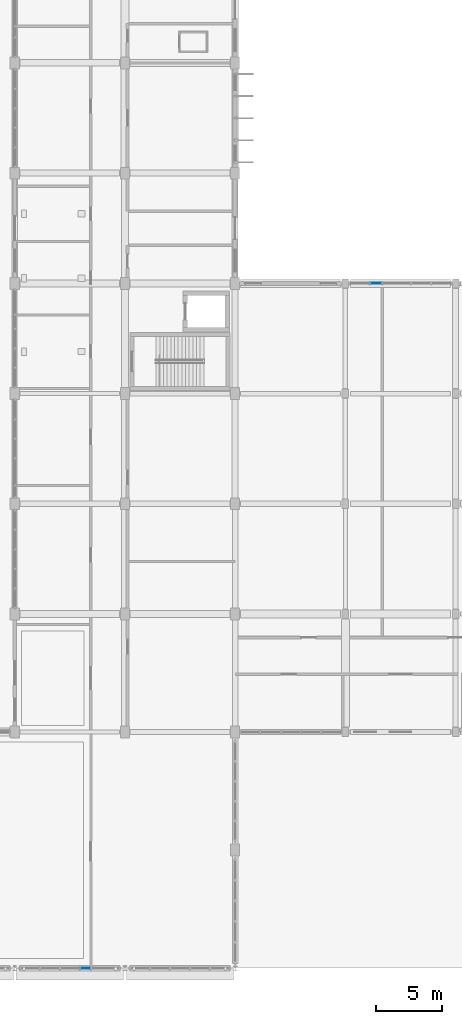
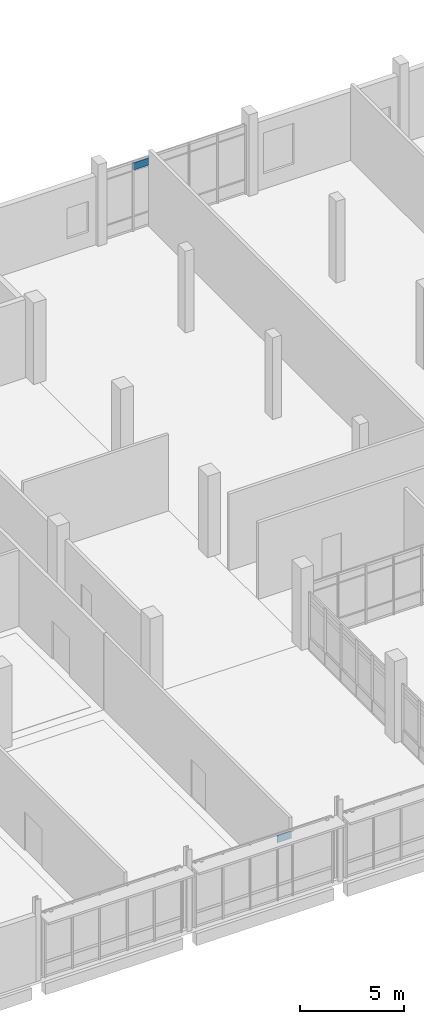
# One storey, part 72 of 95: 2 plates, 2 elements without a shape of their own.
"""IFC4 building model written with IfcOpenShell, lengths in metres."""

from ifc_helpers import new_model, si_unit, direction, frame, origin, origin_2d, place, context, subcontext, project, spatial, rectangle, extrude, material, layer, layer_set, type_object, element, aggregate, save


model = new_model("IFC4")

# Units and contexts
model_context = context("Model", 3, precision=1e-05, world=origin(), true_north=direction((0.0, 1.0)))
body_context = subcontext(model_context, "Body", "Model", "MODEL_VIEW")
ifc_project = project(units=[si_unit("LENGTHUNIT", "METRE"), si_unit("AREAUNIT", "SQUARE_METRE"), si_unit("VOLUMEUNIT", "CUBIC_METRE"), si_unit("PLANEANGLEUNIT", "RADIAN"), si_unit("MASSUNIT", "GRAM", prefix="KILO")], contexts=[model_context])

# Site, building, storey
site_placement = place(None, origin())
site = spatial("IfcSite", under=ifc_project, at=site_placement, CompositionType="ELEMENT")
building_placement = place(site_placement, origin())
building = spatial("IfcBuilding", under=site, at=building_placement, Name="Vireocrest Preparatory School", CompositionType="ELEMENT")
storey_placement = place(building_placement, origin())
storey = spatial("IfcBuildingStorey", under=building, at=storey_placement, Name="L00", CompositionType="ELEMENT", Elevation=0.0)

# Curtain wall, plate
ifc_material_1 = material(Name="Thermally broken aluminium EN AW-6063-T6", Category="aluminium")
ifc_layer_1 = layer(ifc_material_1, 0.179931640625)
ifc_layer_set_1 = layer_set([ifc_layer_1], Name="Thermally broken aluminium EN AW-6063-T6")
curtain_wall_type_1 = type_object("IfcCurtainWallType", Name="Library Reading Bay Glazing 7600x4200", PredefinedType="USERDEFINED", material=ifc_layer_set_1)
curtain_wall_1_placement = place(storey_placement, origin())
curtain_wall_1 = element("IfcCurtainWall", 1, at=curtain_wall_1_placement, inside=storey, type_object=curtain_wall_type_1, Name="Curtain Wall CW16 CW_L00_CW16_1178_0522_000", ObjectType="CURTAIN WALL", PredefinedType="USERDEFINED")
ifc_material_2 = material(Name="Insulated triple low-e tempered safety glass", Category="glass")
ifc_layer_2 = layer(ifc_material_2, 0.074951171875)
ifc_layer_set_2 = layer_set([ifc_layer_2], Name="Insulated triple low-e tempered safety glass")
plate_type_1 = type_object("IfcPlateType", Name="Acoustic Triple-Glazed Lab Curtain Panel 75", PredefinedType="CURTAIN_PANEL", material=ifc_layer_set_2)
plate_1_placement = place(storey_placement, frame((119.925537109375, 52.199951171875, 3.5625), z_axis=(0.0, 0.0, 1.0), x_axis=(1.0, 0.0, 0.0)))
plate_1 = element("IfcPlate", 2, at=plate_1_placement, type_object=plate_type_1, Name="CW Panel GL2 CW_L00_CW16_1178_0522_000-2-3", PredefinedType="CURTAIN_PANEL", context=body_context, shape_type="SweptSolid", body=[
    extrude(rectangle(XDim=0.884033203125, YDim=0.074951171875, at=origin_2d()), origin(), (0.0, 0.0, 1.0), 0.409912109375),
])
aggregate(curtain_wall_1, [plate_1])

ifc_layer_3 = layer(ifc_material_1, 0.179931640625)
ifc_layer_set_3 = layer_set([ifc_layer_3], Name="Thermally broken aluminium EN AW-6063-T6")
curtain_wall_type_2 = type_object("IfcCurtainWallType", Name="Dining Garden Storefront 8400x4400", PredefinedType="USERDEFINED", material=ifc_layer_set_3)
curtain_wall_2_placement = place(storey_placement, origin())
curtain_wall_2 = element("IfcCurtainWall", 3, at=curtain_wall_2_placement, inside=storey, type_object=curtain_wall_type_2, Name="Curtain Wall CW10 CW_L00_CW10_0927_0000_000", ObjectType="CURTAIN WALL", PredefinedType="USERDEFINED")
ifc_layer_4 = layer(ifc_material_2, 0.06005859375)
ifc_layer_set_4 = layer_set([ifc_layer_4], Name="Insulated triple low-e tempered safety glass")
plate_type_2 = type_object("IfcPlateType", Name="Triple-Glazed Vision Curtain Panel 60", PredefinedType="CURTAIN_PANEL", material=ifc_layer_set_4)
plate_2_placement = place(storey_placement, frame((97.78173828125, 0.0, 3.359375), z_axis=(0.0, 0.0, 1.0), x_axis=(1.0, 0.0, 0.0)))
plate_2 = element("IfcPlate", 4, at=plate_2_placement, type_object=plate_type_2, Name="CW Panel GL1 CW_L00_CW10_0927_0000_000-4-3", PredefinedType="CURTAIN_PANEL", context=body_context, shape_type="SweptSolid", body=[
    extrude(rectangle(XDim=0.771484375, YDim=0.06005859375, at=origin_2d()), origin(), (0.0, 0.0, 1.0), 0.409912109375),
])
aggregate(curtain_wall_2, [plate_2])

save(model, "model.ifc")
